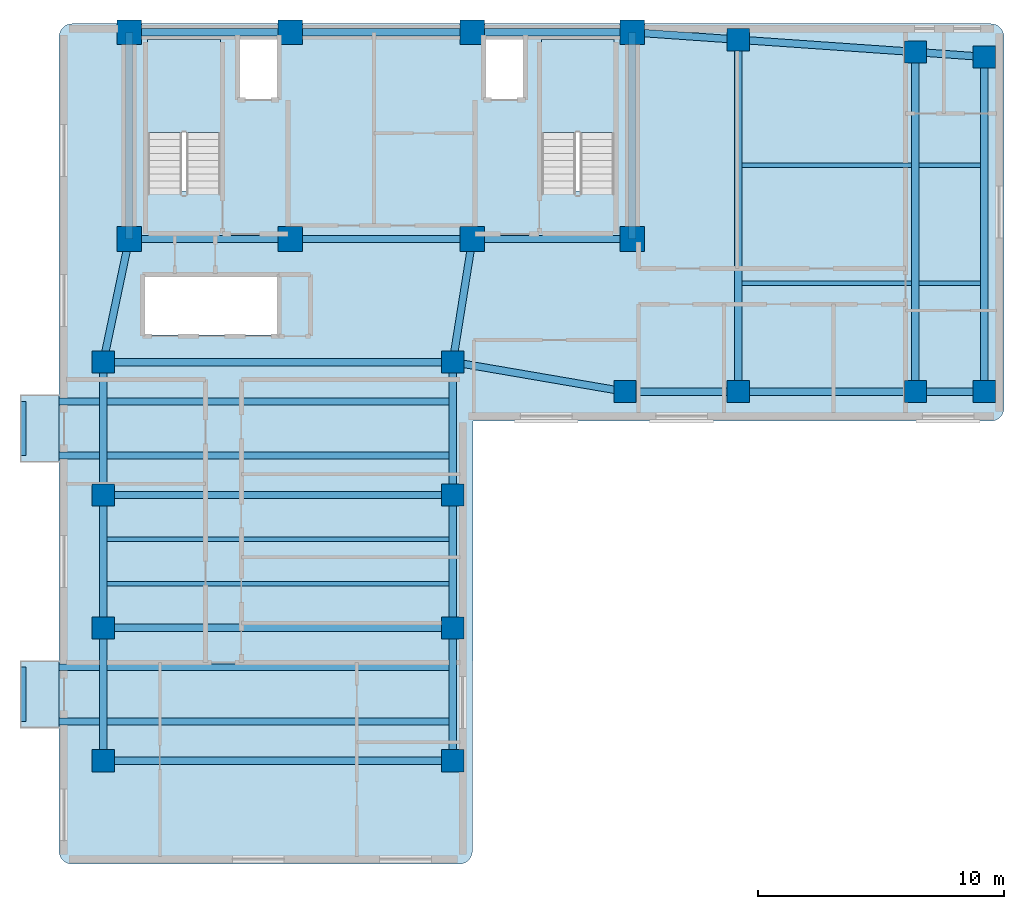
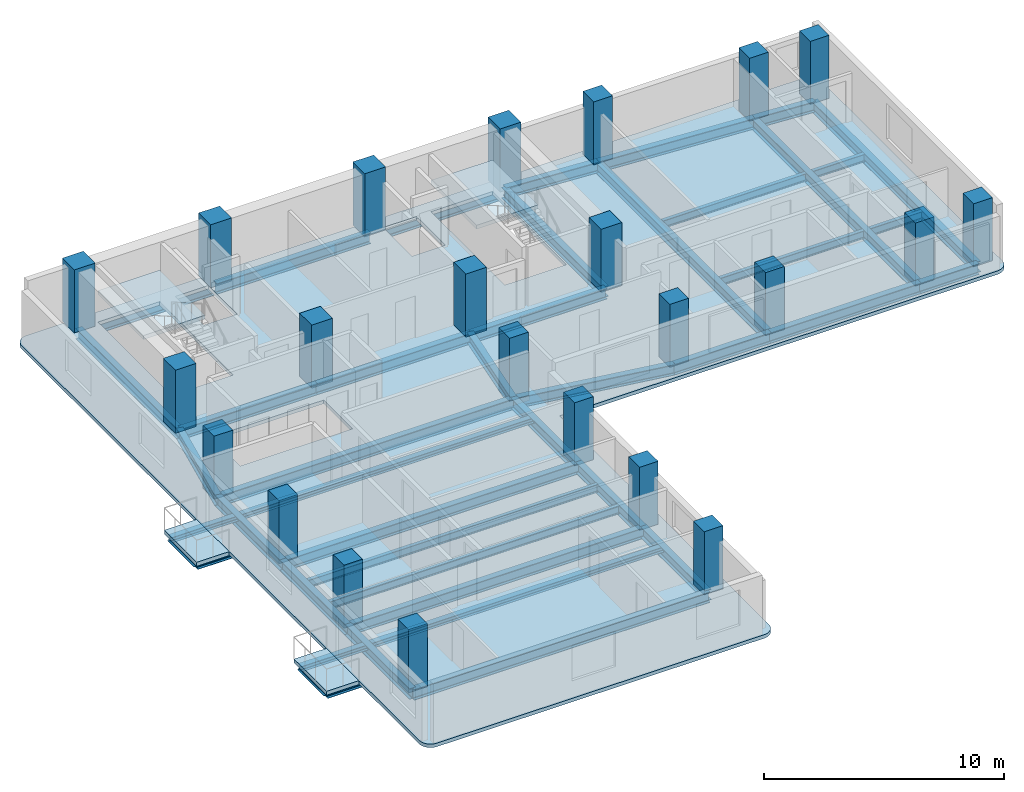
# One storey, part 1 of 6: 42 beams, 23 columns, 5 slabs, 2 elements without a shape of their own.
"""IFC4 building model written with IfcOpenShell, lengths in metres."""

from ifc_helpers import new_model, si_unit, direction, frame, origin, origin_2d, place, context, subcontext, project, spatial, polyline, rectangle, i_section, outline, extrude, material, layer, layer_set, material_profile, profile_set, type_object, element, aggregate, save


model = new_model("IFC4")

# Units and contexts
model_context = context("Model", 3, precision=1e-05, world=origin(), true_north=direction((0.0, 1.0)))
body_context = subcontext(model_context, "Body", "Model", "MODEL_VIEW")
ifc_project = project(units=[si_unit("LENGTHUNIT", "METRE"), si_unit("AREAUNIT", "SQUARE_METRE"), si_unit("VOLUMEUNIT", "CUBIC_METRE"), si_unit("PLANEANGLEUNIT", "RADIAN"), si_unit("MASSUNIT", "GRAM", prefix="KILO")], contexts=[model_context])

# Site, building, storey
site_placement = place(None, origin())
site = spatial("IfcSite", under=ifc_project, at=site_placement, CompositionType="ELEMENT")
building_placement = place(site_placement, origin())
building = spatial("IfcBuilding", under=site, at=building_placement, Name="Kuzgunbayir Cultural Tower", CompositionType="ELEMENT")
storey_placement = place(building_placement, frame((0.0, 0.0, 182.39990234375)))
storey = spatial("IfcBuildingStorey", under=building, at=storey_placement, Name="L53", CompositionType="ELEMENT", Elevation=182.39990234375)

# Columns
ifc_material_1 = material(Name="Concrete C50/60", Category="concrete")
ifc_material_profile_1 = material_profile(ifc_material_1, rectangle(XDim=1.0, YDim=1.0, at=origin_2d()), Name="RC 1000x1000")
ifc_profile_set_1 = profile_set([ifc_material_profile_1], Name="Concrete C50/60")
column_type_1 = type_object("IfcColumnType", Name="COL-CORE-1000", PredefinedType="COLUMN", material=ifc_profile_set_1)
for number, where, z_axis, x_axis, name in (
    (1, (6.449951171875, 33.800048828125, 0.0), (0.0, 0.0, 1.0), (1.0, 0.0, 0.0), "L53 T1 Core Boundary Column CC1-1"),
    (2, (13.0, 33.800048828125, 0.0), (0.0, 0.0, 1.0), (1.0, 0.0, 0.0), "L53 T1 Core Boundary Column CC1-2"),
    (3, (20.39990234375, 33.800048828125, 0.0), (0.0, 0.0, 1.0), (1.0, 0.0, 0.0), "L53 T1 Core Boundary Column CC1-3"),
    (4, (26.89990234375, 33.800048828125, 0.0), (0.0, 0.0, 1.0), (1.0, 0.0, 0.0), "L53 T1 Core Boundary Column CC1-4"),
    (5, (6.449951171875, 42.199951171875, 0.0), (0.0, 0.0, 1.0), (1.0, 0.0, 0.0), "L53 T1 Core Boundary Column CC1-5"),
    (6, (13.0, 42.199951171875, 0.0), (0.0, 0.0, 1.0), (1.0, 0.0, 0.0), "L53 T1 Core Boundary Column CC1-6"),
    (7, (20.39990234375, 42.199951171875, 0.0), (0.0, 0.0, 1.0), (1.0, 0.0, 0.0), "L53 T1 Core Boundary Column CC1-7"),
    (8, (26.89990234375, 42.199951171875, 0.0), (0.0, 0.0, 1.0), (1.0, 0.0, 0.0), "L53 T1 Core Boundary Column CC1-8"),
):
    element("IfcColumn", number, at=place(storey_placement, frame(where, z_axis=z_axis, x_axis=x_axis)), inside=storey, type_object=column_type_1, Name=name, PredefinedType="COLUMN", context=body_context, shape_type="SweptSolid", body=[
        extrude(rectangle(XDim=1.0, YDim=1.0, at=origin_2d()), origin(), (0.0, 0.0, 1.0), 3.2001953125),
    ])
ifc_material_profile_2 = material_profile(ifc_material_1, rectangle(XDim=0.89990234375, YDim=0.89990234375, at=origin_2d()), Name="RC 900x900")
ifc_profile_set_2 = profile_set([ifc_material_profile_2], Name="Concrete C50/60")
column_type_2 = type_object("IfcColumnType", Name="COL-T1-900", PredefinedType="COLUMN", material=ifc_profile_set_2)
for number, where, z_axis, x_axis, name in (
    (9, (5.39990234375, 12.60009765625, 0.0), (0.0, 0.0, 1.0), (1.0, 0.0, 0.0), "L53 Tower 1 Wing A Column T1A-W-1"),
    (10, (19.60009765625, 12.60009765625, 0.0), (0.0, 0.0, 1.0), (1.0, 0.0, 0.0), "L53 Tower 1 Wing A Column T1A-E-1"),
    (11, (5.39990234375, 18.0, 0.0), (0.0, 0.0, 1.0), (1.0, 0.0, 0.0), "L53 Tower 1 Wing A Column T1A-W-2"),
    (12, (19.60009765625, 18.0, 0.0), (0.0, 0.0, 1.0), (1.0, 0.0, 0.0), "L53 Tower 1 Wing A Column T1A-E-2"),
    (13, (5.39990234375, 23.39990234375, 0.0), (0.0, 0.0, 1.0), (1.0, 0.0, 0.0), "L53 Tower 1 Wing A Column T1A-W-3"),
    (14, (19.60009765625, 23.39990234375, 0.0), (0.0, 0.0, 1.0), (1.0, 0.0, 0.0), "L53 Tower 1 Wing A Column T1A-E-3"),
    (15, (5.39990234375, 28.800048828125, 0.0), (0.0, 0.0, 1.0), (1.0, 0.0, 0.0), "L53 Tower 1 Wing A Column T1A-W-4"),
    (16, (19.60009765625, 28.800048828125, 0.0), (0.0, 0.0, 1.0), (1.0, 0.0, 0.0), "L53 Tower 1 Wing A Column T1A-E-4"),
    (17, (26.60009765625, 27.60009765625, 0.0), (0.0, 0.0, 1.0), (1.0, 0.0, 0.0), "L53 Tower 1 Wing B Column T1B-1-1"),
    (18, (31.199951171875, 27.60009765625, 0.0), (0.0, 0.0, 1.0), (1.0, 0.0, 0.0), "L53 Tower 1 Wing B Column T1B-2-1"),
    (19, (31.199951171875, 41.89990234375, 0.0), (0.0, 0.0, 1.0), (1.0, 0.0, 0.0), "L53 Tower 1 Wing B Column T1B-2-2"),
    (20, (38.39990234375, 27.60009765625, 0.0), (0.0, 0.0, 1.0), (1.0, 0.0, 0.0), "L53 Tower 1 Wing B Column T1B-3-1"),
    (21, (38.39990234375, 41.39990234375, 0.0), (0.0, 0.0, 1.0), (1.0, 0.0, 0.0), "L53 Tower 1 Wing B Column T1B-3-2"),
    (22, (41.199951171875, 27.60009765625, 0.0), (0.0, 0.0, 1.0), (1.0, 0.0, 0.0), "L53 Tower 1 Wing B Column T1B-4-1"),
    (23, (41.199951171875, 41.199951171875, 0.0), (0.0, 0.0, 1.0), (1.0, 0.0, 0.0), "L53 Tower 1 Wing B Column T1B-4-2"),
):
    element("IfcColumn", number, at=place(storey_placement, frame(where, z_axis=z_axis, x_axis=x_axis)), inside=storey, type_object=column_type_2, Name=name, PredefinedType="COLUMN", context=body_context, shape_type="SweptSolid", body=[
        extrude(rectangle(XDim=0.89990234375, YDim=0.89990234375, at=origin_2d()), origin(), (0.0, 0.0, 1.0), 3.2001953125),
    ])

# Beams
ifc_material_2 = material(Name="Steel S355J2", Category="steel")
ifc_material_profile_3 = material_profile(ifc_material_2, i_section(OverallWidth=0.280029296875, OverallDepth=0.280029296875, WebThickness=0.010498046875, FlangeThickness=0.01806640625, FilletRadius=0.02392578125, at=origin_2d()), Name="HEB 280")
ifc_profile_set_3 = profile_set([ifc_material_profile_3], Name="Steel S355J2")
beam_type_1 = type_object("IfcBeamType", Name="BM-BAL-HEB280", PredefinedType="BEAM", material=ifc_profile_set_3)
for number, where, z_axis, x_axis, name in (
    (24, (2.159912109375, 14.199951171875, -0.33984375), (1.0, 0.0, 0.0), (0.0, 1.0, 0.0), "L53 Balcony Outrigger Beam BAL-L53-WA1.1"),
    (25, (2.159912109375, 16.39990234375, -0.33984375), (1.0, 0.0, 0.0), (0.0, 1.0, 0.0), "L53 Balcony Outrigger Beam BAL-L53-WA1.2"),
    (26, (2.159912109375, 25.0, -0.33984375), (1.0, 0.0, 0.0), (0.0, 1.0, 0.0), "L53 Balcony Outrigger Beam BAL-L53-WA3.1"),
    (27, (2.159912109375, 27.199951171875, -0.33984375), (1.0, 0.0, 0.0), (0.0, 1.0, 0.0), "L53 Balcony Outrigger Beam BAL-L53-WA3.2"),
):
    element("IfcBeam", number, at=place(storey_placement, frame(where, z_axis=z_axis, x_axis=x_axis)), inside=storey, type_object=beam_type_1, Name=name, PredefinedType="BEAM", context=body_context, shape_type="SweptSolid", body=[
        extrude(i_section(OverallWidth=0.280029296875, OverallDepth=0.280029296875, WebThickness=0.010498046875, FlangeThickness=0.01806640625, FilletRadius=0.02392578125, at=origin_2d()), origin(), (0.0, 0.0, 1.0), 17.440185546875),
    ])
ifc_material_profile_4 = material_profile(ifc_material_2, i_section(OverallWidth=0.199951171875, OverallDepth=0.199951171875, WebThickness=0.009033203125, FlangeThickness=0.014892578125, FilletRadius=0.01806640625, at=origin_2d()), Name="HEB 200")
ifc_profile_set_4 = profile_set([ifc_material_profile_4], Name="Steel S355J2")
beam_type_2 = type_object("IfcBeamType", Name="BM-CAN-HEB200", PredefinedType="BEAM", material=ifc_profile_set_4)
for number, where, z_axis, x_axis, name in (
    (28, (2.159912109375, 14.199951171875, -0.2998046875), (0.0, 1.0, 0.0), (-1.0, 0.0, 0.0), "L53 Balcony Edge Header BAL-L53-WA1"),
    (29, (2.159912109375, 25.0, -0.2998046875), (0.0, 1.0, 0.0), (-1.0, 0.0, 0.0), "L53 Balcony Edge Header BAL-L53-WA3"),
):
    element("IfcBeam", number, at=place(storey_placement, frame(where, z_axis=z_axis, x_axis=x_axis)), inside=storey, type_object=beam_type_2, Name=name, PredefinedType="BEAM", context=body_context, shape_type="SweptSolid", body=[
        extrude(i_section(OverallWidth=0.199951171875, OverallDepth=0.199951171875, WebThickness=0.009033203125, FlangeThickness=0.014892578125, FilletRadius=0.01806640625, at=origin_2d()), origin(), (0.0, 0.0, 1.0), 2.199951171875),
    ])
ifc_material_profile_5 = material_profile(ifc_material_2, i_section(OverallWidth=0.300048828125, OverallDepth=0.550048828125, WebThickness=0.014892578125, FlangeThickness=0.029052734375, FilletRadius=0.027099609375, at=origin_2d()), Name="HEB 550")
ifc_profile_set_5 = profile_set([ifc_material_profile_5], Name="Steel S355J2")
beam_type_3 = type_object("IfcBeamType", Name="BM-EXT-HEB550", PredefinedType="BEAM", material=ifc_profile_set_5)
for number, where, z_axis, x_axis, name in (
    (30, (5.39990234375, 12.60009765625, -0.4599609375), (0.0, 1.0, 0.0), (-1.0, 0.0, 0.0), "L53 Wing A West Girder 1"),
    (31, (19.60009765625, 12.60009765625, -0.4599609375), (0.0, 1.0, 0.0), (-1.0, 0.0, 0.0), "L53 Wing A East Girder 1"),
    (32, (5.39990234375, 18.0, -0.4599609375), (0.0, 1.0, 0.0), (-1.0, 0.0, 0.0), "L53 Wing A West Girder 2"),
    (33, (19.60009765625, 18.0, -0.4599609375), (0.0, 1.0, 0.0), (-1.0, 0.0, 0.0), "L53 Wing A East Girder 2"),
):
    element("IfcBeam", number, at=place(storey_placement, frame(where, z_axis=z_axis, x_axis=x_axis)), inside=storey, type_object=beam_type_3, Name=name, PredefinedType="BEAM", context=body_context, shape_type="SweptSolid", body=[
        extrude(i_section(OverallWidth=0.300048828125, OverallDepth=0.550048828125, WebThickness=0.014892578125, FlangeThickness=0.029052734375, FilletRadius=0.027099609375, at=origin_2d()), origin(), (0.0, 0.0, 1.0), 5.39990234375),
    ])
for number, where, z_axis, x_axis, name in (
    (34, (5.39990234375, 23.39990234375, -0.4599609375), (0.0, 1.0, 0.0), (-1.0, 0.0, 0.0), "L53 Wing A West Girder 3"),
    (35, (19.60009765625, 23.39990234375, -0.4599609375), (0.0, 1.0, 0.0), (-1.0, 0.0, 0.0), "L53 Wing A East Girder 3"),
):
    element("IfcBeam", number, at=place(storey_placement, frame(where, z_axis=z_axis, x_axis=x_axis)), inside=storey, type_object=beam_type_3, Name=name, PredefinedType="BEAM", context=body_context, shape_type="SweptSolid", body=[
        extrude(i_section(OverallWidth=0.300048828125, OverallDepth=0.550048828125, WebThickness=0.014892578125, FlangeThickness=0.029052734375, FilletRadius=0.027099609375, at=origin_2d()), origin(), (0.0, 0.0, 1.0), 5.400146484375),
    ])
beam_1_placement = place(storey_placement, frame((26.60009765625, 27.60009765625, -0.4599609375), z_axis=(1.0, 0.0, 0.0), x_axis=(0.0, 1.0, 0.0)))
element("IfcBeam", 36, at=beam_1_placement, inside=storey, type_object=beam_type_3, Name="L53 Wing B South Girder 1", PredefinedType="BEAM", context=body_context, shape_type="SweptSolid", body=[
    extrude(i_section(OverallWidth=0.300048828125, OverallDepth=0.550048828125, WebThickness=0.014892578125, FlangeThickness=0.029052734375, FilletRadius=0.027099609375, at=origin_2d()), origin(), (0.0, 0.0, 1.0), 4.599853515625),
])
beam_2_placement = place(storey_placement, frame((26.89990234375, 42.199951171875, -0.4599609375), z_axis=(0.997574369175, -0.069608749203, 0.0), x_axis=(0.069608749203, 0.997574369175, 0.0)))
element("IfcBeam", 37, at=beam_2_placement, inside=storey, type_object=beam_type_3, Name="L53 Wing B North Girder 1", PredefinedType="BEAM", context=body_context, shape_type="SweptSolid", body=[
    extrude(i_section(OverallWidth=0.300048828125, OverallDepth=0.550048828125, WebThickness=0.014892578125, FlangeThickness=0.029052734375, FilletRadius=0.027099609375, at=origin_2d()), origin(), (0.0, 0.0, 1.0), 4.310546875),
])
beam_3_placement = place(storey_placement, frame((31.199951171875, 27.60009765625, -0.4599609375), z_axis=(1.0, 0.0, 0.0), x_axis=(0.0, 1.0, 0.0)))
element("IfcBeam", 38, at=beam_3_placement, inside=storey, type_object=beam_type_3, Name="L53 Wing B South Girder 2", PredefinedType="BEAM", context=body_context, shape_type="SweptSolid", body=[
    extrude(i_section(OverallWidth=0.300048828125, OverallDepth=0.550048828125, WebThickness=0.014892578125, FlangeThickness=0.029052734375, FilletRadius=0.027099609375, at=origin_2d()), origin(), (0.0, 0.0, 1.0), 7.199951171875),
])
beam_4_placement = place(storey_placement, frame((31.199951171875, 41.89990234375, -0.4599609375), z_axis=(0.997597388498, -0.069278066245, 0.0), x_axis=(0.069278066245, 0.997597388498, 0.0)))
element("IfcBeam", 39, at=beam_4_placement, inside=storey, type_object=beam_type_3, Name="L53 Wing B North Girder 2", PredefinedType="BEAM", context=body_context, shape_type="SweptSolid", body=[
    extrude(i_section(OverallWidth=0.300048828125, OverallDepth=0.550048828125, WebThickness=0.014892578125, FlangeThickness=0.029052734375, FilletRadius=0.027099609375, at=origin_2d()), origin(), (0.0, 0.0, 1.0), 7.21728515625),
])
beam_5_placement = place(storey_placement, frame((38.39990234375, 27.60009765625, -0.4599609375), z_axis=(1.0, 0.0, 0.0), x_axis=(0.0, 1.0, 0.0)))
element("IfcBeam", 40, at=beam_5_placement, inside=storey, type_object=beam_type_3, Name="L53 Wing B South Girder 3", PredefinedType="BEAM", context=body_context, shape_type="SweptSolid", body=[
    extrude(i_section(OverallWidth=0.300048828125, OverallDepth=0.550048828125, WebThickness=0.014892578125, FlangeThickness=0.029052734375, FilletRadius=0.027099609375, at=origin_2d()), origin(), (0.0, 0.0, 1.0), 2.800048828125),
])
beam_6_placement = place(storey_placement, frame((38.39990234375, 41.39990234375, -0.4599609375), z_axis=(0.997460024076, -0.071228508128, 0.0), x_axis=(0.071228508128, 0.997460024076, 0.0)))
element("IfcBeam", 41, at=beam_6_placement, inside=storey, type_object=beam_type_3, Name="L53 Wing B North Girder 3", PredefinedType="BEAM", context=body_context, shape_type="SweptSolid", body=[
    extrude(i_section(OverallWidth=0.300048828125, OverallDepth=0.550048828125, WebThickness=0.014892578125, FlangeThickness=0.029052734375, FilletRadius=0.027099609375, at=origin_2d()), origin(), (0.0, 0.0, 1.0), 2.80712890625),
])
ifc_material_profile_6 = material_profile(ifc_material_2, i_section(OverallWidth=0.300048828125, OverallDepth=0.550048828125, WebThickness=0.014892578125, FlangeThickness=0.029052734375, FilletRadius=0.027099609375, at=origin_2d()), Name="HEB 550")
ifc_profile_set_6 = profile_set([ifc_material_profile_6], Name="Steel S355J2")
beam_type_4 = type_object("IfcBeamType", Name="BM-GIR-HEB550", PredefinedType="BEAM", material=ifc_profile_set_6)
beam_7_placement = place(storey_placement, frame((6.449951171875, 33.800048828125, -0.4599609375), z_axis=(1.0, 0.0, 0.0), x_axis=(0.0, 1.0, 0.0)))
element("IfcBeam", 42, at=beam_7_placement, inside=storey, type_object=beam_type_4, Name="L53 Core South Girder 1", PredefinedType="BEAM", context=body_context, shape_type="SweptSolid", body=[
    extrude(i_section(OverallWidth=0.300048828125, OverallDepth=0.550048828125, WebThickness=0.014892578125, FlangeThickness=0.029052734375, FilletRadius=0.027099609375, at=origin_2d()), origin(), (0.0, 0.0, 1.0), 6.550048828125),
])
beam_8_placement = place(storey_placement, frame((13.0, 33.800048828125, -0.4599609375), z_axis=(1.0, 0.0, 0.0), x_axis=(0.0, 1.0, 0.0)))
element("IfcBeam", 43, at=beam_8_placement, inside=storey, type_object=beam_type_4, Name="L53 Core South Girder 2", PredefinedType="BEAM", context=body_context, shape_type="SweptSolid", body=[
    extrude(i_section(OverallWidth=0.300048828125, OverallDepth=0.550048828125, WebThickness=0.014892578125, FlangeThickness=0.029052734375, FilletRadius=0.027099609375, at=origin_2d()), origin(), (0.0, 0.0, 1.0), 7.39990234375),
])
beam_9_placement = place(storey_placement, frame((20.39990234375, 33.800048828125, -0.4599609375), z_axis=(1.0, 0.0, 0.0), x_axis=(0.0, 1.0, 0.0)))
element("IfcBeam", 44, at=beam_9_placement, inside=storey, type_object=beam_type_4, Name="L53 Core South Girder 3", PredefinedType="BEAM", context=body_context, shape_type="SweptSolid", body=[
    extrude(i_section(OverallWidth=0.300048828125, OverallDepth=0.550048828125, WebThickness=0.014892578125, FlangeThickness=0.029052734375, FilletRadius=0.027099609375, at=origin_2d()), origin(), (0.0, 0.0, 1.0), 6.5),
])
beam_10_placement = place(storey_placement, frame((6.449951171875, 42.199951171875, -0.4599609375), z_axis=(1.0, 0.0, 0.0), x_axis=(0.0, 1.0, 0.0)))
element("IfcBeam", 45, at=beam_10_placement, inside=storey, type_object=beam_type_4, Name="L53 Core North Girder 1", PredefinedType="BEAM", context=body_context, shape_type="SweptSolid", body=[
    extrude(i_section(OverallWidth=0.300048828125, OverallDepth=0.550048828125, WebThickness=0.014892578125, FlangeThickness=0.029052734375, FilletRadius=0.027099609375, at=origin_2d()), origin(), (0.0, 0.0, 1.0), 6.550048828125),
])
beam_11_placement = place(storey_placement, frame((13.0, 42.199951171875, -0.4599609375), z_axis=(1.0, 0.0, 0.0), x_axis=(0.0, 1.0, 0.0)))
element("IfcBeam", 46, at=beam_11_placement, inside=storey, type_object=beam_type_4, Name="L53 Core North Girder 2", PredefinedType="BEAM", context=body_context, shape_type="SweptSolid", body=[
    extrude(i_section(OverallWidth=0.300048828125, OverallDepth=0.550048828125, WebThickness=0.014892578125, FlangeThickness=0.029052734375, FilletRadius=0.027099609375, at=origin_2d()), origin(), (0.0, 0.0, 1.0), 7.39990234375),
])
beam_12_placement = place(storey_placement, frame((20.39990234375, 42.199951171875, -0.4599609375), z_axis=(1.0, 0.0, 0.0), x_axis=(0.0, 1.0, 0.0)))
element("IfcBeam", 47, at=beam_12_placement, inside=storey, type_object=beam_type_4, Name="L53 Core North Girder 3", PredefinedType="BEAM", context=body_context, shape_type="SweptSolid", body=[
    extrude(i_section(OverallWidth=0.300048828125, OverallDepth=0.550048828125, WebThickness=0.014892578125, FlangeThickness=0.029052734375, FilletRadius=0.027099609375, at=origin_2d()), origin(), (0.0, 0.0, 1.0), 6.5),
])
for number, where, z_axis, x_axis, name in (
    (48, (6.449951171875, 33.800048828125, -0.4599609375), (0.0, 1.0, 0.0), (-1.0, 0.0, 0.0), "L53 Core West Edge Girder"),
    (49, (26.89990234375, 33.800048828125, -0.4599609375), (0.0, 1.0, 0.0), (-1.0, 0.0, 0.0), "L53 Core East Edge Girder"),
):
    element("IfcBeam", number, at=place(storey_placement, frame(where, z_axis=z_axis, x_axis=x_axis)), inside=storey, type_object=beam_type_4, Name=name, PredefinedType="BEAM", context=body_context, shape_type="SweptSolid", body=[
        extrude(i_section(OverallWidth=0.300048828125, OverallDepth=0.550048828125, WebThickness=0.014892578125, FlangeThickness=0.029052734375, FilletRadius=0.027099609375, at=origin_2d()), origin(), (0.0, 0.0, 1.0), 8.39990234375),
    ])
for number, where, z_axis, x_axis, name in (
    (50, (5.39990234375, 12.60009765625, -0.4599609375), (1.0, 0.0, 0.0), (0.0, 1.0, 0.0), "L53 Wing A Transverse Girder 1"),
    (51, (5.39990234375, 18.0, -0.4599609375), (1.0, 0.0, 0.0), (0.0, 1.0, 0.0), "L53 Wing A Transverse Girder 2"),
    (52, (5.39990234375, 23.39990234375, -0.4599609375), (1.0, 0.0, 0.0), (0.0, 1.0, 0.0), "L53 Wing A Transverse Girder 3"),
    (53, (5.39990234375, 28.800048828125, -0.4599609375), (1.0, 0.0, 0.0), (0.0, 1.0, 0.0), "L53 Wing A Transverse Girder 4"),
):
    element("IfcBeam", number, at=place(storey_placement, frame(where, z_axis=z_axis, x_axis=x_axis)), inside=storey, type_object=beam_type_4, Name=name, PredefinedType="BEAM", context=body_context, shape_type="SweptSolid", body=[
        extrude(i_section(OverallWidth=0.300048828125, OverallDepth=0.550048828125, WebThickness=0.014892578125, FlangeThickness=0.029052734375, FilletRadius=0.027099609375, at=origin_2d()), origin(), (0.0, 0.0, 1.0), 14.2001953125),
    ])
beam_13_placement = place(storey_placement, frame((5.39990234375, 28.800048828125, -0.4599609375), z_axis=(0.205526387753, 0.978651574329, 0.0), x_axis=(-0.978651574329, 0.205526387753, 0.0)))
element("IfcBeam", 54, at=beam_13_placement, inside=storey, type_object=beam_type_4, Name="L53 Wing A West Core Floor Girder", PredefinedType="BEAM", context=body_context, shape_type="SweptSolid", body=[
    extrude(i_section(OverallWidth=0.300048828125, OverallDepth=0.550048828125, WebThickness=0.014892578125, FlangeThickness=0.029052734375, FilletRadius=0.027099609375, at=origin_2d()), origin(), (0.0, 0.0, 1.0), 5.109130859375),
])
beam_14_placement = place(storey_placement, frame((19.60009765625, 28.800048828125, -0.4599609375), z_axis=(0.157952891656, 0.987446648694, 0.0), x_axis=(-0.987446648694, 0.157952891656, 0.0)))
element("IfcBeam", 55, at=beam_14_placement, inside=storey, type_object=beam_type_4, Name="L53 Wing A East Core Floor Girder", PredefinedType="BEAM", context=body_context, shape_type="SweptSolid", body=[
    extrude(i_section(OverallWidth=0.300048828125, OverallDepth=0.550048828125, WebThickness=0.014892578125, FlangeThickness=0.029052734375, FilletRadius=0.027099609375, at=origin_2d()), origin(), (0.0, 0.0, 1.0), 5.0634765625),
])
beam_15_placement = place(storey_placement, frame((31.199951171875, 27.60009765625, -0.4599609375), z_axis=(0.0, 1.0, 0.0), x_axis=(-1.0, 0.0, 0.0)))
element("IfcBeam", 56, at=beam_15_placement, inside=storey, type_object=beam_type_4, Name="L53 Wing B Cross Girder 31", PredefinedType="BEAM", context=body_context, shape_type="SweptSolid", body=[
    extrude(i_section(OverallWidth=0.300048828125, OverallDepth=0.550048828125, WebThickness=0.014892578125, FlangeThickness=0.029052734375, FilletRadius=0.027099609375, at=origin_2d()), origin(), (0.0, 0.0, 1.0), 14.2998046875),
])
beam_16_placement = place(storey_placement, frame((38.39990234375, 27.60009765625, -0.4599609375), z_axis=(0.0, 1.0, 0.0), x_axis=(-1.0, 0.0, 0.0)))
element("IfcBeam", 57, at=beam_16_placement, inside=storey, type_object=beam_type_4, Name="L53 Wing B Cross Girder 38", PredefinedType="BEAM", context=body_context, shape_type="SweptSolid", body=[
    extrude(i_section(OverallWidth=0.300048828125, OverallDepth=0.550048828125, WebThickness=0.014892578125, FlangeThickness=0.029052734375, FilletRadius=0.027099609375, at=origin_2d()), origin(), (0.0, 0.0, 1.0), 13.7998046875),
])
beam_17_placement = place(storey_placement, frame((41.199951171875, 27.60009765625, -0.4599609375), z_axis=(0.0, 1.0, 0.0), x_axis=(-1.0, 0.0, 0.0)))
element("IfcBeam", 58, at=beam_17_placement, inside=storey, type_object=beam_type_4, Name="L53 Wing B Cross Girder 41", PredefinedType="BEAM", context=body_context, shape_type="SweptSolid", body=[
    extrude(i_section(OverallWidth=0.300048828125, OverallDepth=0.550048828125, WebThickness=0.014892578125, FlangeThickness=0.029052734375, FilletRadius=0.027099609375, at=origin_2d()), origin(), (0.0, 0.0, 1.0), 13.599853515625),
])
beam_18_placement = place(storey_placement, frame((19.60009765625, 28.800048828125, -0.4599609375), z_axis=(0.985623399742, -0.168957136221, 0.0), x_axis=(0.168957136221, 0.985623399742, 0.0)))
element("IfcBeam", 59, at=beam_18_placement, inside=storey, type_object=beam_type_4, Name="L53 Wing B Waist Tie Girder", PredefinedType="BEAM", context=body_context, shape_type="SweptSolid", body=[
    extrude(i_section(OverallWidth=0.300048828125, OverallDepth=0.550048828125, WebThickness=0.014892578125, FlangeThickness=0.029052734375, FilletRadius=0.027099609375, at=origin_2d()), origin(), (0.0, 0.0, 1.0), 7.10205078125),
])
ifc_material_profile_7 = material_profile(ifc_material_2, i_section(OverallWidth=0.179931640625, OverallDepth=0.39990234375, WebThickness=0.008544921875, FlangeThickness=0.013427734375, FilletRadius=0.02099609375, at=origin_2d()), Name="IPE 400")
ifc_profile_set_7 = profile_set([ifc_material_profile_7], Name="Steel S355J2")
beam_type_5 = type_object("IfcBeamType", Name="BM-JST-IPE400", PredefinedType="JOIST", material=ifc_profile_set_7)
for number, where, z_axis, x_axis, name in (
    (60, (5.550048828125, 19.800048828125, -0.3798828125), (1.0, 0.0, 0.0), (0.0, 1.0, 0.0), "L53 Wing A Secondary Joist 3"),
    (61, (5.550048828125, 21.60009765625, -0.3798828125), (1.0, 0.0, 0.0), (0.0, 1.0, 0.0), "L53 Wing A Secondary Joist 4"),
):
    element("IfcBeam", number, at=place(storey_placement, frame(where, z_axis=z_axis, x_axis=x_axis)), inside=storey, type_object=beam_type_5, Name=name, PredefinedType="JOIST", context=body_context, shape_type="SweptSolid", body=[
        extrude(i_section(OverallWidth=0.179931640625, OverallDepth=0.39990234375, WebThickness=0.008544921875, FlangeThickness=0.013427734375, FilletRadius=0.02099609375, at=origin_2d()), origin(), (0.0, 0.0, 1.0), 13.89990234375),
    ])
for number, where, z_axis, x_axis, name in (
    (62, (31.35009765625, 32.0, -0.3798828125), (1.0, 0.0, 0.0), (0.0, 1.0, 0.0), "L53 Wing B Secondary Joist 1.1"),
    (63, (31.35009765625, 36.800048828125, -0.3798828125), (1.0, 0.0, 0.0), (0.0, 1.0, 0.0), "L53 Wing B Secondary Joist 1.2"),
):
    element("IfcBeam", number, at=place(storey_placement, frame(where, z_axis=z_axis, x_axis=x_axis)), inside=storey, type_object=beam_type_5, Name=name, PredefinedType="JOIST", context=body_context, shape_type="SweptSolid", body=[
        extrude(i_section(OverallWidth=0.179931640625, OverallDepth=0.39990234375, WebThickness=0.008544921875, FlangeThickness=0.013427734375, FilletRadius=0.02099609375, at=origin_2d()), origin(), (0.0, 0.0, 1.0), 6.89990234375),
    ])
for number, where, z_axis, x_axis, name in (
    (64, (38.550048828125, 32.0, -0.3798828125), (1.0, 0.0, 0.0), (0.0, 1.0, 0.0), "L53 Wing B Secondary Joist 2.1"),
    (65, (38.550048828125, 36.800048828125, -0.3798828125), (1.0, 0.0, 0.0), (0.0, 1.0, 0.0), "L53 Wing B Secondary Joist 2.2"),
):
    element("IfcBeam", number, at=place(storey_placement, frame(where, z_axis=z_axis, x_axis=x_axis)), inside=storey, type_object=beam_type_5, Name=name, PredefinedType="JOIST", context=body_context, shape_type="SweptSolid", body=[
        extrude(i_section(OverallWidth=0.179931640625, OverallDepth=0.39990234375, WebThickness=0.008544921875, FlangeThickness=0.013427734375, FilletRadius=0.02099609375, at=origin_2d()), origin(), (0.0, 0.0, 1.0), 2.5),
    ])

# Slabs
ifc_material_3 = material(Name="Concrete C40/50", Category="concrete")
ifc_layer_1 = layer(ifc_material_3, 0.199951171875)
ifc_layer_set_1 = layer_set([ifc_layer_1], Name="Concrete C40/50")
slab_type_1 = type_object("IfcSlabType", Name="SLB-BAL-STONE", PredefinedType="FLOOR", material=ifc_layer_set_1)
slab_1_placement = place(storey_placement, frame((0.0, 0.0, -0.199951171875)))
element("IfcSlab", 66, at=slab_1_placement, inside=storey, type_object=slab_type_1, Name="L53 Projecting Limestone Balcony BAL-L53-WA1", PredefinedType="FLOOR", context=body_context, shape_type="SweptSolid", body=[
    extrude(outline(polyline([(2.0400390625, 13.949951171875), (3.60009765625, 13.949951171875), (3.60009765625, 16.64990234375), (2.0400390625, 16.64990234375), (2.0400390625, 13.949951171875)])), origin(), (0.0, 0.0, 1.0), 0.199951171875),
])
slab_2_placement = place(storey_placement, frame((0.0, 0.0, -0.199951171875)))
element("IfcSlab", 67, at=slab_2_placement, inside=storey, type_object=slab_type_1, Name="L53 Projecting Limestone Balcony BAL-L53-WA3", PredefinedType="FLOOR", context=body_context, shape_type="SweptSolid", body=[
    extrude(outline(polyline([(2.0400390625, 24.75), (3.60009765625, 24.75), (3.60009765625, 27.449951171875), (2.0400390625, 27.449951171875), (2.0400390625, 24.75)])), origin(), (0.0, 0.0, 1.0), 0.199951171875),
])

# Stair, slab
stair_type = type_object("IfcStairType", Name="STR-EXIT-CORE", PredefinedType="HALF_TURN_STAIR", material=ifc_material_3)
stair_1_placement = place(storey_placement, origin())
stair_1 = element("IfcStair", 68, at=stair_1_placement, inside=storey, type_object=stair_type, Name="L53 ST-1", PredefinedType="HALF_TURN_STAIR")
ifc_layer_2 = layer(ifc_material_3, 0.179931640625)
ifc_layer_set_2 = layer_set([ifc_layer_2], Name="Concrete C40/50")
slab_type_2 = type_object("IfcSlabType", Name="SLB-LANDING-180", PredefinedType="LANDING", material=ifc_layer_set_2)
slab_3_placement = place(storey_placement, frame((0.0, 0.0, 1.400146484375)))
slab_3 = element("IfcSlab", 69, at=slab_3_placement, type_object=slab_type_2, Name="ST-1 landing 1", PredefinedType="LANDING", context=body_context, shape_type="SweptSolid", body=[
    extrude(outline(polyline([(10.159912109375, 38.1201171875), (10.159912109375, 41.89990234375), (7.199951171875, 41.89990234375), (7.199951171875, 38.1201171875), (10.159912109375, 38.1201171875)])), origin(), (0.0, 0.0, 1.0), 0.199951171875),
])
aggregate(stair_1, [slab_3])

stair_2_placement = place(storey_placement, origin())
stair_2 = element("IfcStair", 70, at=stair_2_placement, inside=storey, type_object=stair_type, Name="L53 ST-2", PredefinedType="HALF_TURN_STAIR")
slab_4_placement = place(storey_placement, frame((0.0, 0.0, 1.400146484375)))
slab_4 = element("IfcSlab", 71, at=slab_4_placement, type_object=slab_type_2, Name="ST-2 landing 1", PredefinedType="LANDING", context=body_context, shape_type="SweptSolid", body=[
    extrude(outline(polyline([(26.159912109375, 38.1201171875), (26.159912109375, 41.89990234375), (23.199951171875, 41.89990234375), (23.199951171875, 38.1201171875), (26.159912109375, 38.1201171875)])), origin(), (0.0, 0.0, 1.0), 0.199951171875),
])
aggregate(stair_2, [slab_4])

# Slab
ifc_layer_3 = layer(ifc_material_3, 0.179931640625)
ifc_layer_set_3 = layer_set([ifc_layer_3], Name="Concrete C40/50")
slab_type_3 = type_object("IfcSlabType", Name="SLB-TYP-180", PredefinedType="FLOOR", material=ifc_layer_set_3)
slab_5_placement = place(storey_placement, frame((0.0, 0.0, -0.179931640625)))
element("IfcSlab", 72, at=slab_5_placement, inside=storey, type_object=slab_type_3, Name="L53 Tower 1 Floor Slab T1-MAIN", PredefinedType="FLOOR", context=body_context, shape_type="SweptSolid", body=[
    extrude(outline(polyline([(20.39990234375, 8.949951171875), (20.389892578125, 8.840087890625), (20.360107421875, 8.739990234375), (20.31005859375, 8.639892578125), (20.239990234375, 8.56005859375), (20.159912109375, 8.489990234375), (20.06005859375, 8.43994140625), (19.9599609375, 8.409912109375), (19.85009765625, 8.39990234375), (4.14990234375, 8.39990234375), (4.0400390625, 8.409912109375), (3.93994140625, 8.43994140625), (3.840087890625, 8.489990234375), (3.760009765625, 8.56005859375), (3.68994140625, 8.639892578125), (3.639892578125, 8.739990234375), (3.610107421875, 8.840087890625), (3.60009765625, 8.949951171875), (3.60009765625, 42.0), (3.610107421875, 42.110107421875), (3.639892578125, 42.2099609375), (3.68994140625, 42.31005859375), (3.760009765625, 42.389892578125), (3.840087890625, 42.4599609375), (3.93994140625, 42.510009765625), (4.0400390625, 42.5400390625), (4.14990234375, 42.550048828125), (41.449951171875, 42.550048828125), (41.56005859375, 42.5400390625), (41.659912109375, 42.510009765625), (41.760009765625, 42.4599609375), (41.840087890625, 42.389892578125), (41.909912109375, 42.31005859375), (41.9599609375, 42.2099609375), (41.989990234375, 42.110107421875), (42.0, 42.0), (42.0, 26.949951171875), (41.989990234375, 26.840087890625), (41.9599609375, 26.739990234375), (41.909912109375, 26.639892578125), (41.840087890625, 26.56005859375), (41.760009765625, 26.489990234375), (41.659912109375, 26.43994140625), (41.56005859375, 26.409912109375), (41.449951171875, 26.39990234375), (20.429931640625, 26.39990234375), (20.39990234375, 8.949951171875)]), holes=[polyline([(7.199951171875, 35.760009765625), (7.199951171875, 41.89990234375), (10.159912109375, 41.89990234375), (10.159912109375, 35.760009765625), (7.199951171875, 35.760009765625)]), polyline([(23.199951171875, 35.760009765625), (23.199951171875, 41.89990234375), (26.159912109375, 41.89990234375), (26.159912109375, 35.760009765625), (23.199951171875, 35.760009765625)]), polyline([(7.10009765625, 29.89990234375), (7.10009765625, 32.300048828125), (12.5, 32.300048828125), (12.5, 29.89990234375), (7.10009765625, 29.89990234375)]), polyline([(10.89990234375, 39.5), (10.89990234375, 41.89990234375), (12.5, 41.89990234375), (12.5, 39.5), (10.89990234375, 39.5)]), polyline([(20.89990234375, 39.5), (20.89990234375, 41.89990234375), (22.5, 41.89990234375), (22.5, 39.5), (20.89990234375, 39.5)])]), origin(), (0.0, 0.0, 1.0), 0.179931640625),
])

save(model, "model.ifc")
